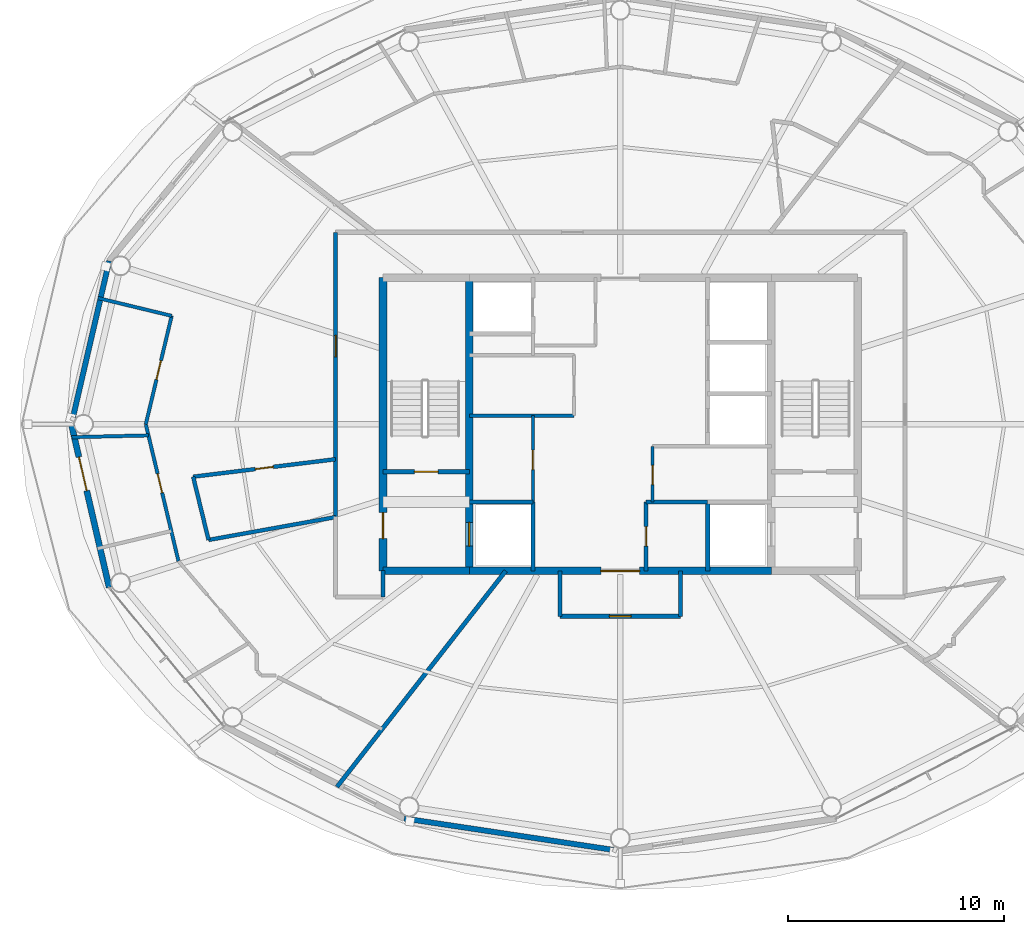
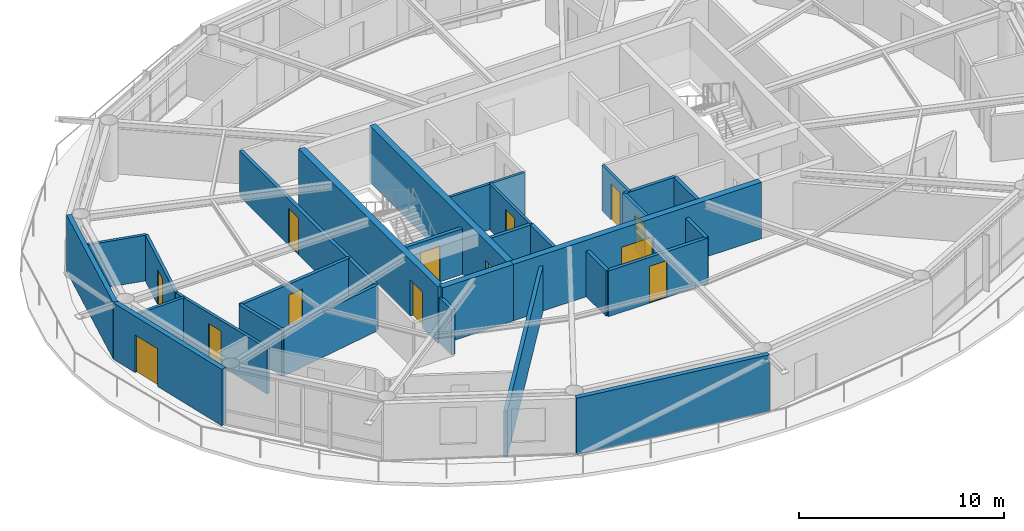
# One storey, part 16 of 22: 29 walls, 13 doors, 13 openings.
"""IFC4 building model written with IfcOpenShell, lengths in metres."""

from ifc_helpers import new_model, si_unit, direction, frame, frame_2d, origin, place, context, subcontext, project, spatial, rectangle, extrude, material, layer, layer_set, type_object, element, fill, save


model = new_model("IFC4")

# Units and contexts
model_context = context("Model", 3, precision=1e-05, world=origin(), true_north=direction((0.0, 1.0)))
body_context = subcontext(model_context, "Body", "Model", "MODEL_VIEW")
ifc_project = project(units=[si_unit("LENGTHUNIT", "METRE"), si_unit("AREAUNIT", "SQUARE_METRE"), si_unit("VOLUMEUNIT", "CUBIC_METRE"), si_unit("PLANEANGLEUNIT", "RADIAN"), si_unit("MASSUNIT", "GRAM", prefix="KILO")], contexts=[model_context])

# Site, building, storey
site_placement = place(None, origin())
site = spatial("IfcSite", under=ifc_project, at=site_placement, CompositionType="ELEMENT")
building_placement = place(site_placement, origin())
building = spatial("IfcBuilding", under=site, at=building_placement, Name="Sarneth Arch Tower", CompositionType="ELEMENT")
storey_placement = place(building_placement, frame((0.0, 0.0, 301.800048828125)))
storey = spatial("IfcBuildingStorey", under=building, at=storey_placement, Name="L78", CompositionType="ELEMENT", Elevation=301.800048828125)

# Wall
ifc_material_1 = material(Name="Concrete C50/60", Category="concrete")
ifc_layer_1 = layer(ifc_material_1, 0.35009765625)
ifc_layer_set_1 = layer_set([ifc_layer_1], Name="Concrete C50/60")
wall_type_1 = type_object("IfcWallType", Name="WALL-CORE-350", PredefinedType="SHEAR", material=ifc_layer_set_1)
wall_1_placement = place(storey_placement, frame((37.0, 35.199951171875, 0.0), z_axis=(0.0, 0.0, 1.0), x_axis=(1.0, 0.0, 0.0)))
element("IfcWall", 1, at=wall_1_placement, inside=storey, type_object=wall_type_1, Name="L78 Core shear wall S-W", PredefinedType="SHEAR", context=body_context, shape_type="SweptSolid", body=[
    extrude(rectangle(XDim=4.0, YDim=0.35009765625, at=frame_2d((2.0, 0.0))), origin(), (0.0, 0.0, 1.0), 3.369873046875),
])

# Wall, opening, door
wall_2_placement = place(storey_placement, frame((41.0, 35.199951171875, 0.0), z_axis=(0.0, 0.0, 1.0), x_axis=(1.0, 0.0, 0.0)))
wall_2 = element("IfcWall", 2, at=wall_2_placement, inside=storey, type_object=wall_type_1, Name="L78 Core shear wall S-M", PredefinedType="SHEAR", context=body_context, shape_type="SweptSolid", body=[
    extrude(rectangle(XDim=14.0, YDim=0.35009765625, at=frame_2d((7.0, 0.0))), origin(), (0.0, 0.0, 1.0), 3.369873046875),
])
opening_1_placement = place(wall_2_placement, frame((6.10009765625, 0.0, 0.0)))
opening_1 = element("IfcOpeningElement", 3, at=opening_1_placement, cuts=wall_2, Name="Opening FD-01", PredefinedType="OPENING", context=body_context, shape_type="SweptSolid", body=[
    extrude(rectangle(XDim=1.800048828125, YDim=2.25, at=frame_2d((0.89990234375, 1.125))), frame((0.0, 0.18505859375, 0.0), z_axis=(0.0, -1.0, 0.0), x_axis=(1.0, 0.0, 0.0)), (0.0, 0.0, 1.0), 0.3701171875),
])
ifc_material_2 = material(Name="Galvanised Steel S275 fire door set", Category="steel")
door_type_1 = type_object("IfcDoorType", Name="DR-FD90-1800", OperationType="DOUBLE_DOOR_SINGLE_SWING", PredefinedType="DOOR", material=ifc_material_2)
door_1_placement = place(opening_1_placement, origin())
door_1 = element("IfcDoor", 4, at=door_1_placement, inside=storey, type_object=door_type_1, Name="L78 Central lift lobby south door", OperationType="DOUBLE_DOOR_SINGLE_SWING", OverallHeight=2.25, OverallWidth=1.800048828125, PredefinedType="DOOR", context=body_context, shape_type="SweptSolid", body=[
    extrude(rectangle(XDim=1.800048828125, YDim=2.25, at=frame_2d((0.89990234375, 1.125))), frame((0.0, 0.02490234375, 0.0), z_axis=(0.0, -1.0, 0.0), x_axis=(1.0, 0.0, 0.0)), (0.0, 0.0, 1.0), 0.050048828125),
])
fill(opening_1, door_1)

wall_3_placement = place(storey_placement, frame((37.0, 35.199951171875, 0.0), z_axis=(0.0, 0.0, 1.0), x_axis=(0.0, 1.0, 0.0)))
wall_3 = element("IfcWall", 5, at=wall_3_placement, inside=storey, type_object=wall_type_1, Name="L78 Core shear wall W", PredefinedType="SHEAR", context=body_context, shape_type="SweptSolid", body=[
    extrude(rectangle(XDim=13.60009765625, YDim=0.35009765625, at=frame_2d((6.800048828125, 0.0))), origin(), (0.0, 0.0, 1.0), 3.369873046875),
])
opening_2_placement = place(wall_3_placement, frame((1.5, 0.0, 0.0)))
opening_2 = element("IfcOpeningElement", 6, at=opening_2_placement, cuts=wall_3, Name="Opening FD-02", PredefinedType="OPENING", context=body_context, shape_type="SweptSolid", body=[
    extrude(rectangle(XDim=1.199951171875, YDim=2.14990234375, at=frame_2d((0.60009765625, 1.074951171875))), frame((0.0, 0.18505859375, 0.0), z_axis=(0.0, -1.0, 0.0), x_axis=(1.0, 0.0, 0.0)), (0.0, 0.0, 1.0), 0.3701171875),
])
ifc_material_3 = material(Name="Galvanised Steel S275 fire door set", Category="steel")
door_type_2 = type_object("IfcDoorType", Name="DR-FD90-1200", OperationType="SINGLE_SWING_LEFT", PredefinedType="DOOR", material=ifc_material_3)
door_2_placement = place(opening_2_placement, origin())
door_2 = element("IfcDoor", 7, at=door_2_placement, inside=storey, type_object=door_type_2, Name="L78 Firefighting lobby 1 exit door", OperationType="SINGLE_SWING_LEFT", OverallHeight=2.14990234375, OverallWidth=1.199951171875, PredefinedType="DOOR", context=body_context, shape_type="SweptSolid", body=[
    extrude(rectangle(XDim=1.199951171875, YDim=2.14990234375, at=frame_2d((0.60009765625, 1.074951171875))), frame((0.0, 0.02490234375, 0.0), z_axis=(0.0, -1.0, 0.0), x_axis=(1.0, 0.0, 0.0)), (0.0, 0.0, 1.0), 0.050048828125),
])
fill(opening_2, door_2)

wall_4_placement = place(storey_placement, frame((41.0, 35.199951171875, 0.0), z_axis=(0.0, 0.0, 1.0), x_axis=(0.0, 1.0, 0.0)))
wall_4 = element("IfcWall", 8, at=wall_4_placement, inside=storey, type_object=wall_type_1, Name="L78 Core shear wall WEB-W", PredefinedType="SHEAR", context=body_context, shape_type="SweptSolid", body=[
    extrude(rectangle(XDim=13.60009765625, YDim=0.35009765625, at=frame_2d((6.800048828125, 0.0))), origin(), (0.0, 0.0, 1.0), 3.369873046875),
])
opening_3_placement = place(wall_4_placement, frame((1.14990234375, 0.0, 0.0)))
opening_3 = element("IfcOpeningElement", 9, at=opening_3_placement, cuts=wall_4, Name="Opening LD-1", PredefinedType="OPENING", context=body_context, shape_type="SweptSolid", body=[
    extrude(rectangle(XDim=1.10009765625, YDim=2.199951171875, at=frame_2d((0.550048828125, 1.10009765625))), frame((0.0, 0.18505859375, 0.0), z_axis=(0.0, -1.0, 0.0), x_axis=(1.0, 0.0, 0.0)), (0.0, 0.0, 1.0), 0.3701171875),
])
ifc_material_4 = material(Name="Brushed Stainless Steel 304 lift landing door", Category="steel")
door_type_3 = type_object("IfcDoorType", Name="DR-LIFT-SLIDE-1100", OperationType="SLIDING_TO_LEFT", PredefinedType="DOOR", material=ifc_material_4)
door_3_placement = place(opening_3_placement, origin())
door_3 = element("IfcDoor", 10, at=door_3_placement, inside=storey, type_object=door_type_3, Name="L78 Firefighting lift landing door FL-1", OperationType="SLIDING_TO_LEFT", OverallHeight=2.199951171875, OverallWidth=1.10009765625, PredefinedType="DOOR", context=body_context, shape_type="SweptSolid", body=[
    extrude(rectangle(XDim=1.10009765625, YDim=2.199951171875, at=frame_2d((0.550048828125, 1.10009765625))), frame((0.0, 0.02490234375, 0.0), z_axis=(0.0, -1.0, 0.0), x_axis=(1.0, 0.0, 0.0)), (0.0, 0.0, 1.0), 0.050048828125),
])
fill(opening_3, door_3)

ifc_material_5 = material(Name="Double steel-stud corridor fire wall", Category="steel")
ifc_layer_2 = layer(ifc_material_5, 0.18994140625)
ifc_layer_set_2 = layer_set([ifc_layer_2], Name="Double steel-stud corridor fire wall")
wall_type_2 = type_object("IfcWallType", Name="WALL-CORR-190", PredefinedType="PARTITIONING", material=ifc_layer_set_2)
wall_5_placement = place(storey_placement, frame((34.800048828125, 37.663330078125, 0.0), z_axis=(0.0, 0.0, 1.0), x_axis=(0.0, 1.0, 0.0)))
wall_5 = element("IfcWall", 11, at=wall_5_placement, inside=storey, type_object=wall_type_2, Name="L78 Interior partition W-L78-TP-005", PredefinedType="PARTITIONING", context=body_context, shape_type="SweptSolid", body=[
    extrude(rectangle(XDim=13.236572265625, YDim=0.18994140625, at=frame_2d((6.6181640625, 0.0))), origin(), (0.0, 0.0, 1.0), 2.72998046875),
])
opening_4_placement = place(wall_5_placement, frame((7.460205078125, 0.0, 0.0)))
opening_4 = element("IfcOpeningElement", 12, at=opening_4_placement, cuts=wall_5, Name="Opening FD-08", PredefinedType="OPENING", context=body_context, shape_type="SweptSolid", body=[
    extrude(rectangle(XDim=1.0, YDim=2.199951171875, at=frame_2d((0.5, 1.10009765625))), frame((0.0, 0.10498046875, 0.0), z_axis=(0.0, -1.0, 0.0), x_axis=(1.0, 0.0, 0.0)), (0.0, 0.0, 1.0), 0.2099609375),
])
ifc_material_6 = material(Name="Hardwood timber acoustic fire door", Category="wood")
door_type_4 = type_object("IfcDoorType", Name="DR-FD60-1000", OperationType="SINGLE_SWING_LEFT", PredefinedType="DOOR", material=ifc_material_6)
door_4_placement = place(opening_4_placement, origin())
door_4 = element("IfcDoor", 13, at=door_4_placement, inside=storey, type_object=door_type_4, Name="L78 Interior door DR-L78-U2-ENT", OperationType="SINGLE_SWING_RIGHT", OverallHeight=2.199951171875, OverallWidth=1.0, PredefinedType="DOOR", context=body_context, shape_type="SweptSolid", body=[
    extrude(rectangle(XDim=1.0, YDim=2.199951171875, at=frame_2d((0.5, 1.10009765625))), frame((0.0, 0.02490234375, 0.0), z_axis=(0.0, -1.0, 0.0), x_axis=(1.0, 0.0, 0.0)), (0.0, 0.0, 1.0), 0.050048828125),
])
fill(opening_4, door_4)

wall_6_placement = place(storey_placement, frame((50.800048828125, 33.10009765625, 0.0), z_axis=(0.0, 0.0, 1.0), x_axis=(-1.0, 0.0, 0.0)))
wall_6 = element("IfcWall", 14, at=wall_6_placement, inside=storey, type_object=wall_type_2, Name="L78 Interior partition W-L78-TP-013", PredefinedType="PARTITIONING", context=body_context, shape_type="SweptSolid", body=[
    extrude(rectangle(XDim=5.60009765625, YDim=0.18994140625, at=frame_2d((2.800048828125, 0.0))), origin(), (0.0, 0.0, 1.0), 2.72998046875),
])
opening_5_placement = place(wall_6_placement, frame((2.300048828125, 0.0, 0.0)))
opening_5 = element("IfcOpeningElement", 15, at=opening_5_placement, cuts=wall_6, Name="Opening FD-08", PredefinedType="OPENING", context=body_context, shape_type="SweptSolid", body=[
    extrude(rectangle(XDim=1.0, YDim=2.199951171875, at=frame_2d((0.5, 1.10009765625))), frame((0.0, 0.10498046875, 0.0), z_axis=(0.0, -1.0, 0.0), x_axis=(1.0, 0.0, 0.0)), (0.0, 0.0, 1.0), 0.2099609375),
])
door_5_placement = place(opening_5_placement, origin())
door_5 = element("IfcDoor", 16, at=door_5_placement, inside=storey, type_object=door_type_4, Name="L78 Interior door DR-L78-RAMN-03", OperationType="SINGLE_SWING_RIGHT", OverallHeight=2.199951171875, OverallWidth=1.0, PredefinedType="DOOR", context=body_context, shape_type="SweptSolid", body=[
    extrude(rectangle(XDim=1.0, YDim=2.199951171875, at=frame_2d((0.5, 1.10009765625))), frame((0.0, 0.02490234375, 0.0), z_axis=(0.0, -1.0, 0.0), x_axis=(1.0, 0.0, 0.0)), (0.0, 0.0, 1.0), 0.050048828125),
])
fill(opening_5, door_5)

# Walls
for number, where, z_axis, x_axis, name in (
    (17, (50.800048828125, 35.199951171875, 0.0), (0.0, 0.0, 1.0), (0.0, -1.0, 0.0), "L78 Interior partition W-L78-TP-012"),
    (18, (45.199951171875, 33.10009765625, 0.0), (0.0, 0.0, 1.0), (0.0, 1.0, 0.0), "L78 Interior partition W-L78-TP-014"),
):
    element("IfcWall", number, at=place(storey_placement, frame(where, z_axis=z_axis, x_axis=x_axis)), inside=storey, type_object=wall_type_2, Name=name, PredefinedType="PARTITIONING", context=body_context, shape_type="SweptSolid", body=[
        extrude(rectangle(XDim=2.099853515625, YDim=0.18994140625, at=frame_2d((1.0498046875, 0.0))), origin(), (0.0, 0.0, 1.0), 2.72998046875),
    ])
wall_7_placement = place(storey_placement, frame((37.0, 35.23193359375, 0.0), z_axis=(0.0, 0.0, 1.0), x_axis=(0.0, -1.0, 0.0)))
element("IfcWall", 19, at=wall_7_placement, inside=storey, type_object=wall_type_2, Name="L78 Interior partition W-L78-TP-002", PredefinedType="PARTITIONING", context=body_context, shape_type="SweptSolid", body=[
    extrude(rectangle(XDim=1.23193359375, YDim=0.18994140625, at=frame_2d((0.615966796875, 0.0))), origin(), (0.0, 0.0, 1.0), 2.72998046875),
])
ifc_material_7 = material(Name="Extruded terracotta rainscreen on Concrete C40/50 backing", Category="masonry")
ifc_layer_3 = layer(ifc_material_7, 0.25)
ifc_layer_set_3 = layer_set([ifc_layer_3], Name="Extruded terracotta rainscreen on Concrete C40/50 backing")
wall_type_3 = type_object("IfcWallType", Name="WALL-EXT-SPAND-250", PredefinedType="SOLIDWALL", material=ifc_layer_set_3)
wall_8_placement = place(storey_placement, frame((24.30615234375, 49.569580078125, 0.0), z_axis=(0.0, 0.0, 1.0), x_axis=(-0.225635078214, -0.974211892495, 0.0)))
element("IfcWall", 20, at=wall_8_placement, inside=storey, type_object=wall_type_3, Name="L78 Terracotta perimeter wall 08", PredefinedType="SOLIDWALL", context=body_context, shape_type="SweptSolid", body=[
    extrude(rectangle(XDim=7.77001953125, YDim=0.25, at=frame_2d((3.885009765625, 0.0))), origin(), (0.0, 0.0, 1.0), 3.369873046875),
])
wall_9_placement = place(storey_placement, frame((37.9873046875, 23.7255859375, 0.0), z_axis=(0.0, 0.0, 1.0), x_axis=(0.988882522213, -0.148698881169, 0.0)))
element("IfcWall", 21, at=wall_9_placement, inside=storey, type_object=wall_type_3, Name="L78 Terracotta perimeter wall 12", PredefinedType="SOLIDWALL", context=body_context, shape_type="SweptSolid", body=[
    extrude(rectangle(XDim=10.125244140625, YDim=0.25, at=frame_2d((5.0625, 0.0))), origin(), (0.0, 0.0, 1.0), 3.369873046875),
])

# Wall, opening, door
ifc_material_8 = material(Name="Extruded terracotta rainscreen on Concrete C40/50 backing", Category="masonry")
ifc_layer_4 = layer(ifc_material_8, 0.280029296875)
ifc_layer_set_4 = layer_set([ifc_layer_4], Name="Extruded terracotta rainscreen on Concrete C40/50 backing")
wall_type_4 = type_object("IfcWallType", Name="WALL-EXT-TERRA-280", PredefinedType="SOLIDWALL", material=ifc_layer_set_4)
wall_10_placement = place(storey_placement, frame((22.552978515625, 42.0, 0.0), z_axis=(0.0, 0.0, 1.0), x_axis=(0.225635078214, -0.974211892495, 0.0)))
wall_10 = element("IfcWall", 22, at=wall_10_placement, inside=storey, type_object=wall_type_4, Name="L78 Terracotta perimeter wall 09", PredefinedType="SOLIDWALL", context=body_context, shape_type="SweptSolid", body=[
    extrude(rectangle(XDim=7.77001953125, YDim=0.280029296875, at=frame_2d((3.885009765625, 0.0))), origin(), (0.0, 0.0, 1.0), 3.369873046875),
])
opening_6_placement = place(wall_10_placement, frame((1.55712890625, 0.0, 0.0)))
opening_6 = element("IfcOpeningElement", 23, at=opening_6_placement, cuts=wall_10, Name="Opening BD-1", PredefinedType="OPENING", context=body_context, shape_type="SweptSolid", body=[
    extrude(rectangle(XDim=1.60009765625, YDim=2.25, at=frame_2d((0.800048828125, 1.125))), frame((0.0, 0.14990234375, 0.0), z_axis=(0.0, -1.0, 0.0), x_axis=(1.0, 0.0, 0.0)), (0.0, 0.0, 1.0), 0.300048828125),
])
ifc_material_9 = material(Name="Thermally broken Aluminium 6063-T6 and laminated safety glass", Category="aluminium")
door_type_5 = type_object("IfcDoorType", Name="DR-BALC-GLZ-1600", OperationType="DOUBLE_DOOR_SINGLE_SWING", PredefinedType="DOOR", material=ifc_material_9)
door_6_placement = place(opening_6_placement, origin())
door_6 = element("IfcDoor", 24, at=door_6_placement, inside=storey, type_object=door_type_5, Name="L78 Balcony glazed door 09", OperationType="DOUBLE_DOOR_SINGLE_SWING", OverallHeight=2.25, OverallWidth=1.60009765625, PredefinedType="DOOR", context=body_context, shape_type="SweptSolid", body=[
    extrude(rectangle(XDim=1.60009765625, YDim=2.25, at=frame_2d((0.800048828125, 1.125))), frame((0.0, 0.02490234375, 0.0), z_axis=(0.0, -1.0, 0.0), x_axis=(1.0, 0.0, 0.0)), (0.0, 0.0, 1.0), 0.050048828125),
])
fill(opening_6, door_6)

ifc_material_10 = material(Name="Acoustic gypsum stud partition", Category="gypsum")
ifc_layer_5 = layer(ifc_material_10, 0.14990234375)
ifc_layer_set_5 = layer_set([ifc_layer_5], Name="Acoustic gypsum stud partition")
wall_type_5 = type_object("IfcWallType", Name="WALL-PART-150", PredefinedType="PARTITIONING", material=ifc_layer_set_5)
wall_11_placement = place(storey_placement, frame((43.949951171875, 38.39990234375, 0.0), z_axis=(0.0, 0.0, 1.0), x_axis=(0.0, 1.0, 0.0)))
wall_11 = element("IfcWall", 25, at=wall_11_placement, inside=storey, type_object=wall_type_5, Name="L78 Interior partition W-L78-RECPL-E", PredefinedType="PARTITIONING", context=body_context, shape_type="SweptSolid", body=[
    extrude(rectangle(XDim=4.0, YDim=0.14990234375, at=frame_2d((2.0, 0.0))), origin(), (0.0, 0.0, 1.0), 2.72998046875),
])
opening_7_placement = place(wall_11_placement, frame((1.5, 0.0, 0.0)))
opening_7 = element("IfcOpeningElement", 26, at=opening_7_placement, cuts=wall_11, Name="Opening FD-10", PredefinedType="OPENING", context=body_context, shape_type="SweptSolid", body=[
    extrude(rectangle(XDim=0.89990234375, YDim=2.14990234375, at=frame_2d((0.449951171875, 1.074951171875))), frame((0.0, 0.0849609375, 0.0), z_axis=(0.0, -1.0, 0.0), x_axis=(1.0, 0.0, 0.0)), (0.0, 0.0, 1.0), 0.169921875),
])
ifc_material_11 = material(Name="Galvanised Steel S275 riser/service fire door", Category="steel")
door_type_6 = type_object("IfcDoorType", Name="DR-FD60-900", OperationType="SINGLE_SWING_LEFT", PredefinedType="DOOR", material=ifc_material_11)
door_7_placement = place(opening_7_placement, origin())
door_7 = element("IfcDoor", 27, at=door_7_placement, inside=storey, type_object=door_type_6, Name="L78 Interior door DR-L78-RECPL", OperationType="SINGLE_SWING_LEFT", OverallHeight=2.14990234375, OverallWidth=0.89990234375, PredefinedType="DOOR", context=body_context, shape_type="SweptSolid", body=[
    extrude(rectangle(XDim=0.89990234375, YDim=2.14990234375, at=frame_2d((0.449951171875, 1.074951171875))), frame((0.0, 0.02490234375, 0.0), z_axis=(0.0, -1.0, 0.0), x_axis=(1.0, 0.0, 0.0)), (0.0, 0.0, 1.0), 0.050048828125),
])
fill(opening_7, door_7)

# Wall
wall_12_placement = place(storey_placement, frame((41.0, 42.39990234375, 0.0), z_axis=(0.0, 0.0, 1.0), x_axis=(1.0, 0.0, 0.0)))
element("IfcWall", 28, at=wall_12_placement, inside=storey, type_object=wall_type_5, Name="L78 Interior partition W-L78-RECPM1-S", PredefinedType="PARTITIONING", context=body_context, shape_type="SweptSolid", body=[
    extrude(rectangle(XDim=4.85009765625, YDim=0.14990234375, at=frame_2d((2.425048828125, 0.0))), origin(), (0.0, 0.0, 1.0), 2.72998046875),
])

# Wall, opening, door
wall_13_placement = place(storey_placement, frame((49.5, 38.39990234375, 0.0), z_axis=(0.0, 0.0, 1.0), x_axis=(0.0, 1.0, 0.0)))
wall_13 = element("IfcWall", 29, at=wall_13_placement, inside=storey, type_object=wall_type_5, Name="L78 Interior partition W-L78-RECPM2-W", PredefinedType="PARTITIONING", context=body_context, shape_type="SweptSolid", body=[
    extrude(rectangle(XDim=2.580078125, YDim=0.14990234375, at=frame_2d((1.2900390625, 0.0))), origin(), (0.0, 0.0, 1.0), 2.72998046875),
])
opening_8_placement = place(wall_13_placement, frame((0.800048828125, 0.0, 0.0)))
opening_8 = element("IfcOpeningElement", 30, at=opening_8_placement, cuts=wall_13, Name="Opening FD-10", PredefinedType="OPENING", context=body_context, shape_type="SweptSolid", body=[
    extrude(rectangle(XDim=0.89990234375, YDim=2.14990234375, at=frame_2d((0.449951171875, 1.074951171875))), frame((0.0, 0.0849609375, 0.0), z_axis=(0.0, -1.0, 0.0), x_axis=(1.0, 0.0, 0.0)), (0.0, 0.0, 1.0), 0.169921875),
])
door_8_placement = place(opening_8_placement, origin())
door_8 = element("IfcDoor", 31, at=door_8_placement, inside=storey, type_object=door_type_6, Name="L78 Interior door DR-L78-RECPM2", OperationType="SINGLE_SWING_LEFT", OverallHeight=2.14990234375, OverallWidth=0.89990234375, PredefinedType="DOOR", context=body_context, shape_type="SweptSolid", body=[
    extrude(rectangle(XDim=0.89990234375, YDim=2.14990234375, at=frame_2d((0.449951171875, 1.074951171875))), frame((0.0, 0.02490234375, 0.0), z_axis=(0.0, -1.0, 0.0), x_axis=(1.0, 0.0, 0.0)), (0.0, 0.0, 1.0), 0.050048828125),
])
fill(opening_8, door_8)

ifc_material_12 = material(Name="Kitchen wet service chase wall", Category="gypsum")
ifc_layer_6 = layer(ifc_material_12, 0.159912109375)
ifc_layer_set_6 = layer_set([ifc_layer_6], Name="Kitchen wet service chase wall")
wall_type_6 = type_object("IfcWallType", Name="WALL-PLUMB-160", PredefinedType="PLUMBINGWALL", material=ifc_layer_set_6)
wall_14_placement = place(storey_placement, frame((27.2041015625, 47.026123046875, 0.0), z_axis=(0.0, 0.0, 1.0), x_axis=(-0.232306036208, -0.972642743016, 0.0)))
wall_14 = element("IfcWall", 32, at=wall_14_placement, inside=storey, type_object=wall_type_6, Name="L78 Interior partition W-L78-TP-039", PredefinedType="PLUMBINGWALL", context=body_context, shape_type="SweptSolid", body=[
    extrude(rectangle(XDim=5.16748046875, YDim=0.159912109375, at=frame_2d((2.583740234375, 0.0))), origin(), (0.0, 0.0, 1.0), 2.72998046875),
])
opening_9_placement = place(wall_14_placement, frame((2.1337890625, 0.0, 0.0)))
opening_9 = element("IfcOpeningElement", 33, at=opening_9_placement, cuts=wall_14, Name="Opening ID-01", PredefinedType="OPENING", context=body_context, shape_type="SweptSolid", body=[
    extrude(rectangle(XDim=0.89990234375, YDim=2.10009765625, at=frame_2d((0.449951171875, 1.050048828125))), frame((0.0, 0.08984375, 0.0), z_axis=(0.0, -1.0, 0.0), x_axis=(1.0, 0.0, 0.0)), (0.0, 0.0, 1.0), 0.179931640625),
])
ifc_material_13 = material(Name="Engineered hardwood flush door", Category="wood")
door_type_7 = type_object("IfcDoorType", Name="DR-INT-900", OperationType="SINGLE_SWING_LEFT", PredefinedType="DOOR", material=ifc_material_13)
door_9_placement = place(opening_9_placement, origin())
door_9 = element("IfcDoor", 34, at=door_9_placement, inside=storey, type_object=door_type_7, Name="L78 Interior door DR-L78-U2-KIT", OperationType="SINGLE_SWING_RIGHT", OverallHeight=2.10009765625, OverallWidth=0.89990234375, PredefinedType="DOOR", context=body_context, shape_type="SweptSolid", body=[
    extrude(rectangle(XDim=0.89990234375, YDim=2.10009765625, at=frame_2d((0.449951171875, 1.050048828125))), frame((0.0, 0.02490234375, 0.0), z_axis=(0.0, -1.0, 0.0), x_axis=(1.0, 0.0, 0.0)), (0.0, 0.0, 1.0), 0.050048828125),
])
fill(opening_9, door_9)

wall_15_placement = place(storey_placement, frame((27.51904296875, 35.655029296875, 0.0), z_axis=(0.0, 0.0, 1.0), x_axis=(-0.232298462197, 0.972644551962, 0.0)))
wall_15 = element("IfcWall", 35, at=wall_15_placement, inside=storey, type_object=wall_type_6, Name="L78 Interior partition W-L78-TP-044", PredefinedType="PLUMBINGWALL", context=body_context, shape_type="SweptSolid", body=[
    extrude(rectangle(XDim=6.5234375, YDim=0.159912109375, at=frame_2d((3.26171875, 0.0))), origin(), (0.0, 0.0, 1.0), 2.72998046875),
])
opening_10_placement = place(wall_15_placement, frame((3.263916015625, 0.0, 0.0)))
opening_10 = element("IfcOpeningElement", 36, at=opening_10_placement, cuts=wall_15, Name="Opening ID-01", PredefinedType="OPENING", context=body_context, shape_type="SweptSolid", body=[
    extrude(rectangle(XDim=0.89990234375, YDim=2.10009765625, at=frame_2d((0.449951171875, 1.050048828125))), frame((0.0, 0.08984375, 0.0), z_axis=(0.0, -1.0, 0.0), x_axis=(1.0, 0.0, 0.0)), (0.0, 0.0, 1.0), 0.179931640625),
])
door_10_placement = place(opening_10_placement, origin())
door_10 = element("IfcDoor", 37, at=door_10_placement, inside=storey, type_object=door_type_7, Name="L78 Interior door DR-L78-U2-BED1", OperationType="SINGLE_SWING_RIGHT", OverallHeight=2.10009765625, OverallWidth=0.89990234375, PredefinedType="DOOR", context=body_context, shape_type="SweptSolid", body=[
    extrude(rectangle(XDim=0.89990234375, YDim=2.10009765625, at=frame_2d((0.449951171875, 1.050048828125))), frame((0.0, 0.02490234375, 0.0), z_axis=(0.0, -1.0, 0.0), x_axis=(1.0, 0.0, 0.0)), (0.0, 0.0, 1.0), 0.050048828125),
])
fill(opening_10, door_10)

# Walls
wall_16_placement = place(storey_placement, frame((26.126953125, 41.483642578125, 0.0), z_axis=(0.0, 0.0, 1.0), x_axis=(-0.999722785281, -0.023544693446, 0.0)))
element("IfcWall", 38, at=wall_16_placement, inside=storey, type_object=wall_type_6, Name="L78 Interior partition W-L78-TP-053", PredefinedType="PLUMBINGWALL", context=body_context, shape_type="SweptSolid", body=[
    extrude(rectangle(XDim=3.556640625, YDim=0.159912109375, at=frame_2d((1.7783203125, 0.0))), origin(), (0.0, 0.0, 1.0), 2.72998046875),
])
wall_17_placement = place(storey_placement, frame((23.785400390625, 47.852294921875, 0.0), z_axis=(0.0, 0.0, 1.0), x_axis=(0.972019388221, -0.234900636274, 0.0)))
element("IfcWall", 39, at=wall_17_placement, inside=storey, type_object=wall_type_6, Name="L78 Interior partition W-L78-TP-038", PredefinedType="PLUMBINGWALL", context=body_context, shape_type="SweptSolid", body=[
    extrude(rectangle(XDim=3.51708984375, YDim=0.159912109375, at=frame_2d((1.758544921875, 0.0))), origin(), (0.0, 0.0, 1.0), 2.72998046875),
])
ifc_material_14 = material(Name="Moisture-resistant plumbing chase wall", Category="gypsum")
ifc_layer_7 = layer(ifc_material_14, 0.179931640625)
ifc_layer_set_7 = layer_set([ifc_layer_7], Name="Moisture-resistant plumbing chase wall")
wall_type_7 = type_object("IfcWallType", Name="WALL-PLUMB-180", PredefinedType="PLUMBINGWALL", material=ifc_layer_set_7)
wall_18_placement = place(storey_placement, frame((49.199951171875, 38.39990234375, 0.0), z_axis=(0.0, 0.0, 1.0), x_axis=(1.0, 0.0, 0.0)))
element("IfcWall", 40, at=wall_18_placement, inside=storey, type_object=wall_type_7, Name="L78 Interior partition W-L78-AWC-N", PredefinedType="PLUMBINGWALL", context=body_context, shape_type="SweptSolid", body=[
    extrude(rectangle(XDim=2.85009765625, YDim=0.179931640625, at=frame_2d((1.425048828125, 0.0))), origin(), (0.0, 0.0, 1.0), 2.72998046875),
])

# Wall, opening, door
wall_19_placement = place(storey_placement, frame((49.199951171875, 35.199951171875, 0.0), z_axis=(0.0, 0.0, 1.0), x_axis=(0.0, 1.0, 0.0)))
wall_19 = element("IfcWall", 41, at=wall_19_placement, inside=storey, type_object=wall_type_7, Name="L78 Interior partition W-L78-AWC-W", PredefinedType="PLUMBINGWALL", context=body_context, shape_type="SweptSolid", body=[
    extrude(rectangle(XDim=3.199951171875, YDim=0.179931640625, at=frame_2d((1.60009765625, 0.0))), origin(), (0.0, 0.0, 1.0), 2.72998046875),
])
opening_11_placement = place(wall_19_placement, frame((1.14990234375, 0.0, 0.0)))
opening_11 = element("IfcOpeningElement", 42, at=opening_11_placement, cuts=wall_19, Name="Opening ID-01", PredefinedType="OPENING", context=body_context, shape_type="SweptSolid", body=[
    extrude(rectangle(XDim=0.89990234375, YDim=2.10009765625, at=frame_2d((0.449951171875, 1.050048828125))), frame((0.0, 0.099853515625, 0.0), z_axis=(0.0, -1.0, 0.0), x_axis=(1.0, 0.0, 0.0)), (0.0, 0.0, 1.0), 0.199951171875),
])
door_11_placement = place(opening_11_placement, origin())
door_11 = element("IfcDoor", 43, at=door_11_placement, inside=storey, type_object=door_type_7, Name="L78 Interior door DR-L78-AWC", OperationType="SINGLE_SWING_RIGHT", OverallHeight=2.10009765625, OverallWidth=0.89990234375, PredefinedType="DOOR", context=body_context, shape_type="SweptSolid", body=[
    extrude(rectangle(XDim=0.89990234375, YDim=2.10009765625, at=frame_2d((0.449951171875, 1.050048828125))), frame((0.0, 0.02490234375, 0.0), z_axis=(0.0, -1.0, 0.0), x_axis=(1.0, 0.0, 0.0)), (0.0, 0.0, 1.0), 0.050048828125),
])
fill(opening_11, door_11)

wall_20_placement = place(storey_placement, frame((34.800048828125, 40.37939453125, 0.0), z_axis=(0.0, 0.0, 1.0), x_axis=(-0.99254493565, -0.121879246453, 0.0)))
wall_20 = element("IfcWall", 44, at=wall_20_placement, inside=storey, type_object=wall_type_7, Name="L78 Interior partition W-L78-TP-041", PredefinedType="PLUMBINGWALL", context=body_context, shape_type="SweptSolid", body=[
    extrude(rectangle(XDim=6.650390625, YDim=0.179931640625, at=frame_2d((3.3251953125, 0.0))), origin(), (0.0, 0.0, 1.0), 2.72998046875),
])
opening_12_placement = place(wall_20_placement, frame((2.900146484375, 0.0, 0.0)))
opening_12 = element("IfcOpeningElement", 45, at=opening_12_placement, cuts=wall_20, Name="Opening ID-02", PredefinedType="OPENING", context=body_context, shape_type="SweptSolid", body=[
    extrude(rectangle(XDim=0.85009765625, YDim=2.10009765625, at=frame_2d((0.425048828125, 1.050048828125))), frame((0.0, 0.099853515625, 0.0), z_axis=(0.0, -1.0, 0.0), x_axis=(1.0, 0.0, 0.0)), (0.0, 0.0, 1.0), 0.199951171875),
])
ifc_material_15 = material(Name="Moisture-resistant bathroom timber door", Category="wood")
door_type_8 = type_object("IfcDoorType", Name="DR-INT-850", OperationType="SINGLE_SWING_RIGHT", PredefinedType="DOOR", material=ifc_material_15)
door_12_placement = place(opening_12_placement, origin())
door_12 = element("IfcDoor", 46, at=door_12_placement, inside=storey, type_object=door_type_8, Name="L78 Interior door DR-L78-U2-BATH", OperationType="SINGLE_SWING_LEFT", OverallHeight=2.10009765625, OverallWidth=0.85009765625, PredefinedType="DOOR", context=body_context, shape_type="SweptSolid", body=[
    extrude(rectangle(XDim=0.85009765625, YDim=2.10009765625, at=frame_2d((0.425048828125, 1.050048828125))), frame((0.0, 0.02490234375, 0.0), z_axis=(0.0, -1.0, 0.0), x_axis=(1.0, 0.0, 0.0)), (0.0, 0.0, 1.0), 0.050048828125),
])
fill(opening_12, door_12)

# Walls
wall_21_placement = place(storey_placement, frame((28.912841796875, 36.638427734375, 0.0), z_axis=(0.0, 0.0, 1.0), x_axis=(0.984251000252, 0.176776606208, 0.0)))
element("IfcWall", 47, at=wall_21_placement, inside=storey, type_object=wall_type_7, Name="L78 Interior partition W-L78-TP-043", PredefinedType="PLUMBINGWALL", context=body_context, shape_type="SweptSolid", body=[
    extrude(rectangle(XDim=5.9814453125, YDim=0.179931640625, at=frame_2d((2.99072265625, 0.0))), origin(), (0.0, 0.0, 1.0), 2.72998046875),
])
wall_22_placement = place(storey_placement, frame((28.19921875, 39.56884765625, 0.0), z_axis=(0.0, 0.0, 1.0), x_axis=(0.236607697995, -0.971605268229, 0.0)))
element("IfcWall", 48, at=wall_22_placement, inside=storey, type_object=wall_type_7, Name="L78 Interior partition W-L78-TP-042", PredefinedType="PLUMBINGWALL", context=body_context, shape_type="SweptSolid", body=[
    extrude(rectangle(XDim=3.01611328125, YDim=0.179931640625, at=frame_2d((1.508056640625, 0.0))), origin(), (0.0, 0.0, 1.0), 2.72998046875),
])

# Wall, opening, door
ifc_material_16 = material(Name="Aerated concrete blockwork C25/30", Category="masonry")
ifc_layer_8 = layer(ifc_material_16, 0.199951171875)
ifc_layer_set_8 = layer_set([ifc_layer_8], Name="Aerated concrete blockwork C25/30")
wall_type_8 = type_object("IfcWallType", Name="WALL-SHAFT-200", PredefinedType="SOLIDWALL", material=ifc_layer_set_8)
wall_23_placement = place(storey_placement, frame((37.0, 39.800048828125, 0.0), z_axis=(0.0, 0.0, 1.0), x_axis=(1.0, 0.0, 0.0)))
wall_23 = element("IfcWall", 49, at=wall_23_placement, inside=storey, type_object=wall_type_8, Name="L78 Interior partition W-L78-ST1-S", PredefinedType="SOLIDWALL", context=body_context, shape_type="SweptSolid", body=[
    extrude(rectangle(XDim=4.0, YDim=0.199951171875, at=frame_2d((2.0, 0.0))), origin(), (0.0, 0.0, 1.0), 2.72998046875),
])
opening_13_placement = place(wall_23_placement, frame((1.449951171875, 0.0, 0.0)))
opening_13 = element("IfcOpeningElement", 50, at=opening_13_placement, cuts=wall_23, Name="Opening FD-03", PredefinedType="OPENING", context=body_context, shape_type="SweptSolid", body=[
    extrude(rectangle(XDim=1.10009765625, YDim=2.14990234375, at=frame_2d((0.550048828125, 1.074951171875))), frame((0.0, 0.10986328125, 0.0), z_axis=(0.0, -1.0, 0.0), x_axis=(1.0, 0.0, 0.0)), (0.0, 0.0, 1.0), 0.219970703125),
])
ifc_material_17 = material(Name="Galvanised Steel S275 fire door set", Category="steel")
door_type_9 = type_object("IfcDoorType", Name="DR-FD90-1100", OperationType="SINGLE_SWING_LEFT", PredefinedType="DOOR", material=ifc_material_17)
door_13_placement = place(opening_13_placement, origin())
door_13 = element("IfcDoor", 51, at=door_13_placement, inside=storey, type_object=door_type_9, Name="L78 Interior door DR-L78-ST1", OperationType="SINGLE_SWING_LEFT", OverallHeight=2.14990234375, OverallWidth=1.10009765625, PredefinedType="DOOR", context=body_context, shape_type="SweptSolid", body=[
    extrude(rectangle(XDim=1.10009765625, YDim=2.14990234375, at=frame_2d((0.550048828125, 1.074951171875))), frame((0.0, 0.02490234375, 0.0), z_axis=(0.0, -1.0, 0.0), x_axis=(1.0, 0.0, 0.0)), (0.0, 0.0, 1.0), 0.050048828125),
])
fill(opening_13, door_13)

# Walls
wall_24_placement = place(storey_placement, frame((43.949951171875, 35.199951171875, 0.0), z_axis=(0.0, 0.0, 1.0), x_axis=(0.0, 1.0, 0.0)))
element("IfcWall", 52, at=wall_24_placement, inside=storey, type_object=wall_type_8, Name="L78 Interior partition W-L78-FL1-E", PredefinedType="SOLIDWALL", context=body_context, shape_type="SweptSolid", body=[
    extrude(rectangle(XDim=3.199951171875, YDim=0.199951171875, at=frame_2d((1.60009765625, 0.0))), origin(), (0.0, 0.0, 1.0), 2.72998046875),
])
wall_25_placement = place(storey_placement, frame((41.0, 38.39990234375, 0.0), z_axis=(0.0, 0.0, 1.0), x_axis=(1.0, 0.0, 0.0)))
element("IfcWall", 53, at=wall_25_placement, inside=storey, type_object=wall_type_8, Name="L78 Interior partition W-L78-FL1-N", PredefinedType="SOLIDWALL", context=body_context, shape_type="SweptSolid", body=[
    extrude(rectangle(XDim=2.949951171875, YDim=0.199951171875, at=frame_2d((1.47509765625, 0.0))), origin(), (0.0, 0.0, 1.0), 2.72998046875),
])
wall_26_placement = place(storey_placement, frame((52.050048828125, 35.199951171875, 0.0), z_axis=(0.0, 0.0, 1.0), x_axis=(0.0, 1.0, 0.0)))
element("IfcWall", 54, at=wall_26_placement, inside=storey, type_object=wall_type_8, Name="L78 Interior partition W-L78-FL2-W", PredefinedType="SOLIDWALL", context=body_context, shape_type="SweptSolid", body=[
    extrude(rectangle(XDim=3.199951171875, YDim=0.199951171875, at=frame_2d((1.60009765625, 0.0))), origin(), (0.0, 0.0, 1.0), 2.72998046875),
])
ifc_material_18 = material(Name="Double steel-stud acoustic drywall", Category="steel")
ifc_layer_9 = layer(ifc_material_18, 0.199951171875)
ifc_layer_set_9 = layer_set([ifc_layer_9], Name="Double steel-stud acoustic drywall")
wall_type_9 = type_object("IfcWallType", Name="WALL-UNIT-200", PredefinedType="PARTITIONING", material=ifc_layer_set_9)
wall_27_placement = place(storey_placement, frame((42.687255859375, 35.199951171875, 0.0), z_axis=(0.0, 0.0, 1.0), x_axis=(-0.615663811723, -0.788008928208, 0.0)))
element("IfcWall", 55, at=wall_27_placement, inside=storey, type_object=wall_type_9, Name="L78 Interior partition W-L78-TP-052", PredefinedType="PARTITIONING", context=body_context, shape_type="SweptSolid", body=[
    extrude(rectangle(XDim=12.701171875, YDim=0.199951171875, at=frame_2d((6.3505859375, 0.0))), origin(), (0.0, 0.0, 1.0), 2.72998046875),
])

save(model, "model.ifc")
